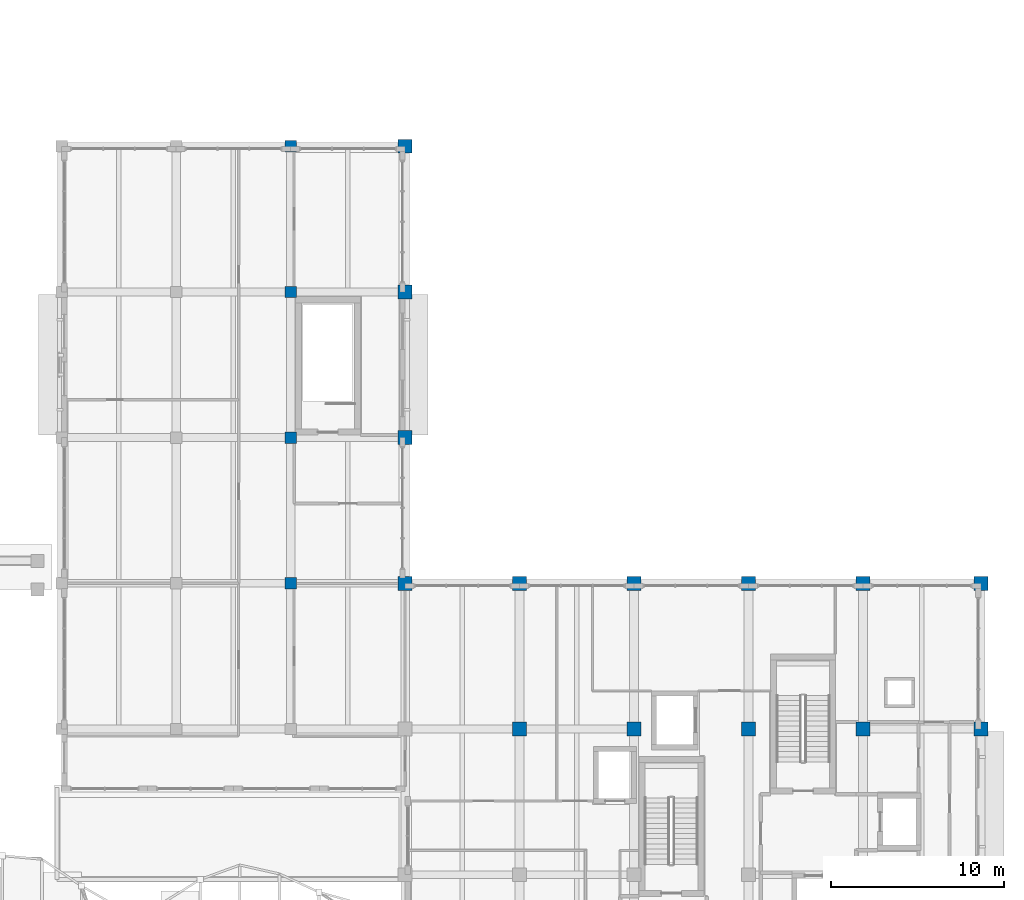
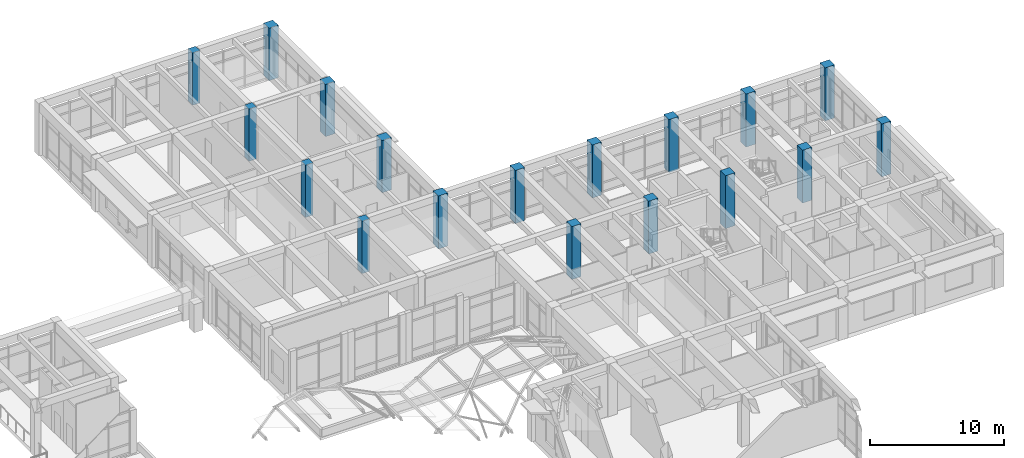
# One storey, part 5 of 79: 18 columns.
"""IFC4 building model written with IfcOpenShell, lengths in metres."""

from ifc_helpers import new_model, si_unit, direction, frame, origin, origin_2d, place, context, subcontext, project, spatial, rectangle, extrude, material, material_profile, profile_set, type_object, element, save


model = new_model("IFC4")

# Units and contexts
model_context = context("Model", 3, precision=1e-05, world=origin(), true_north=direction((0.0, 1.0)))
body_context = subcontext(model_context, "Body", "Model", "MODEL_VIEW")
ifc_project = project(units=[si_unit("LENGTHUNIT", "METRE"), si_unit("AREAUNIT", "SQUARE_METRE"), si_unit("VOLUMEUNIT", "CUBIC_METRE"), si_unit("PLANEANGLEUNIT", "RADIAN"), si_unit("MASSUNIT", "GRAM", prefix="KILO")], contexts=[model_context])

# Site, building, storey
site_placement = place(None, origin())
site = spatial("IfcSite", under=ifc_project, at=site_placement, CompositionType="ELEMENT")
building_placement = place(site_placement, origin())
building = spatial("IfcBuilding", under=site, at=building_placement, Name="Kolvaren Faculty of Natural Sciences", CompositionType="ELEMENT")
storey_placement = place(building_placement, frame((0.0, 0.0, 10.199951171875)))
storey = spatial("IfcBuildingStorey", under=building, at=storey_placement, Name="L02", CompositionType="ELEMENT", Elevation=10.199951171875)

# Columns
ifc_material_1 = material(Name="Concrete C40/50", Category="concrete")
ifc_material_profile_1 = material_profile(ifc_material_1, rectangle(XDim=0.800048828125, YDim=0.800048828125, at=origin_2d()), Name="RC COL 800x800")
ifc_profile_set_1 = profile_set([ifc_material_profile_1], Name="Concrete C40/50")
column_type_1 = type_object("IfcColumnType", Name="TowerColumn_800x800", PredefinedType="COLUMN", material=ifc_profile_set_1)
column_placement = place(storey_placement, frame((138.800048828125, 84.199951171875, 0.0), z_axis=(0.0, 0.0, 1.0), x_axis=(1.0, 0.0, 0.0)))
element("IfcColumn", 1, at=column_placement, inside=storey, type_object=column_type_1, Name="L02 column TC-80 at 22/L", PredefinedType="COLUMN", context=body_context, shape_type="SweptSolid", body=[
    extrude(rectangle(XDim=0.800048828125, YDim=0.800048828125, at=origin_2d()), origin(), (0.0, 0.0, 1.0), 4.800048828125),
])
for number, where, z_axis, x_axis, name in (
    (2, (138.800048828125, 92.60009765625, 0.0), (0.0, 0.0, 1.0), (1.0, 0.0, 0.0), "L02 column TC-80 at 22/M"),
    (3, (138.800048828125, 101.0, 0.0), (0.0, 0.0, 1.0), (1.0, 0.0, 0.0), "L02 column TC-80 at 22/N"),
    (4, (138.800048828125, 109.39990234375, 0.0), (0.0, 0.0, 1.0), (1.0, 0.0, 0.0), "L02 column TC-80 at 22/P"),
):
    element("IfcColumn", number, at=place(storey_placement, frame(where, z_axis=z_axis, x_axis=x_axis)), inside=storey, type_object=column_type_1, Name=name, PredefinedType="COLUMN", context=body_context, shape_type="SweptSolid", body=[
        extrude(rectangle(XDim=0.800048828125, YDim=0.800048828125, at=origin_2d()), origin(), (0.0, 0.0, 1.0), 4.739990234375),
    ])
for number, where, z_axis, x_axis, name in (
    (5, (145.39990234375, 75.800048828125, 0.0), (0.0, 0.0, 1.0), (1.0, 0.0, 0.0), "L02 column TC-80 at 23/K"),
    (6, (145.39990234375, 84.199951171875, 0.0), (0.0, 0.0, 1.0), (1.0, 0.0, 0.0), "L02 column TC-80 at 23/L"),
    (7, (152.0, 75.800048828125, 0.0), (0.0, 0.0, 1.0), (1.0, 0.0, 0.0), "L02 column TC-80 at 24/K"),
    (8, (152.0, 84.199951171875, 0.0), (0.0, 0.0, 1.0), (1.0, 0.0, 0.0), "L02 column TC-80 at 24/L"),
    (9, (158.60009765625, 75.800048828125, 0.0), (0.0, 0.0, 1.0), (1.0, 0.0, 0.0), "L02 column TC-80 at 25/K"),
    (10, (158.60009765625, 84.199951171875, 0.0), (0.0, 0.0, 1.0), (1.0, 0.0, 0.0), "L02 column TC-80 at 25/L"),
    (11, (165.199951171875, 75.800048828125, 0.0), (0.0, 0.0, 1.0), (1.0, 0.0, 0.0), "L02 column TC-80 at 26/K"),
    (12, (165.199951171875, 84.199951171875, 0.0), (0.0, 0.0, 1.0), (1.0, 0.0, 0.0), "L02 column TC-80 at 26/L"),
    (13, (172.0, 75.800048828125, 0.0), (0.0, 0.0, 1.0), (1.0, 0.0, 0.0), "L02 column TC-80 at 27/K"),
    (14, (172.0, 84.199951171875, 0.0), (0.0, 0.0, 1.0), (1.0, 0.0, 0.0), "L02 column TC-80 at 27/L"),
):
    element("IfcColumn", number, at=place(storey_placement, frame(where, z_axis=z_axis, x_axis=x_axis)), inside=storey, type_object=column_type_1, Name=name, PredefinedType="COLUMN", context=body_context, shape_type="SweptSolid", body=[
        extrude(rectangle(XDim=0.800048828125, YDim=0.800048828125, at=origin_2d()), origin(), (0.0, 0.0, 1.0), 4.800048828125),
    ])
ifc_material_2 = material(Name="Concrete C35/45", Category="concrete")
ifc_material_profile_2 = material_profile(ifc_material_2, rectangle(XDim=0.64990234375, YDim=0.64990234375, at=origin_2d()), Name="RC COL 650x650")
ifc_profile_set_2 = profile_set([ifc_material_profile_2], Name="Concrete C35/45")
column_type_2 = type_object("IfcColumnType", Name="WingColumn_650x650", PredefinedType="COLUMN", material=ifc_profile_set_2)
for number, where, z_axis, x_axis, name in (
    (15, (132.199951171875, 84.199951171875, 0.0), (0.0, 0.0, 1.0), (1.0, 0.0, 0.0), "L02 column WC-65 at 21/L"),
    (16, (132.199951171875, 92.60009765625, 0.0), (0.0, 0.0, 1.0), (1.0, 0.0, 0.0), "L02 column WC-65 at 21/M"),
    (17, (132.199951171875, 101.0, 0.0), (0.0, 0.0, 1.0), (1.0, 0.0, 0.0), "L02 column WC-65 at 21/N"),
    (18, (132.199951171875, 109.39990234375, 0.0), (0.0, 0.0, 1.0), (1.0, 0.0, 0.0), "L02 column WC-65 at 21/P"),
):
    element("IfcColumn", number, at=place(storey_placement, frame(where, z_axis=z_axis, x_axis=x_axis)), inside=storey, type_object=column_type_2, Name=name, PredefinedType="COLUMN", context=body_context, shape_type="SweptSolid", body=[
        extrude(rectangle(XDim=0.64990234375, YDim=0.64990234375, at=origin_2d()), origin(), (0.0, 0.0, 1.0), 4.739990234375),
    ])

save(model, "model.ifc")
